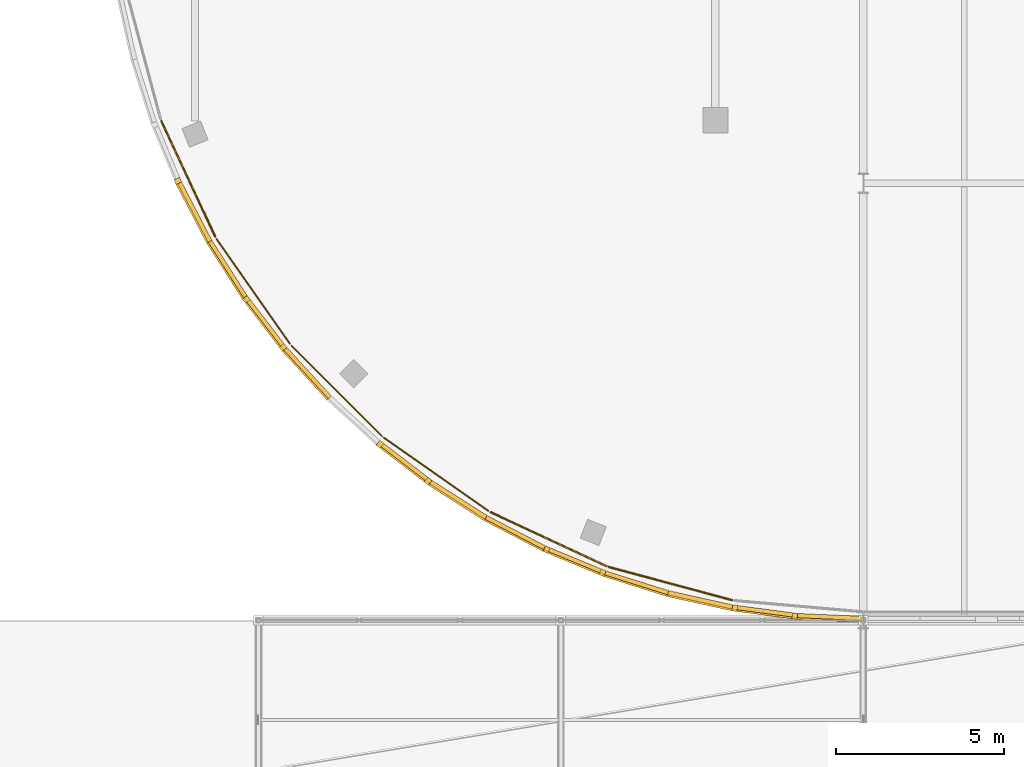
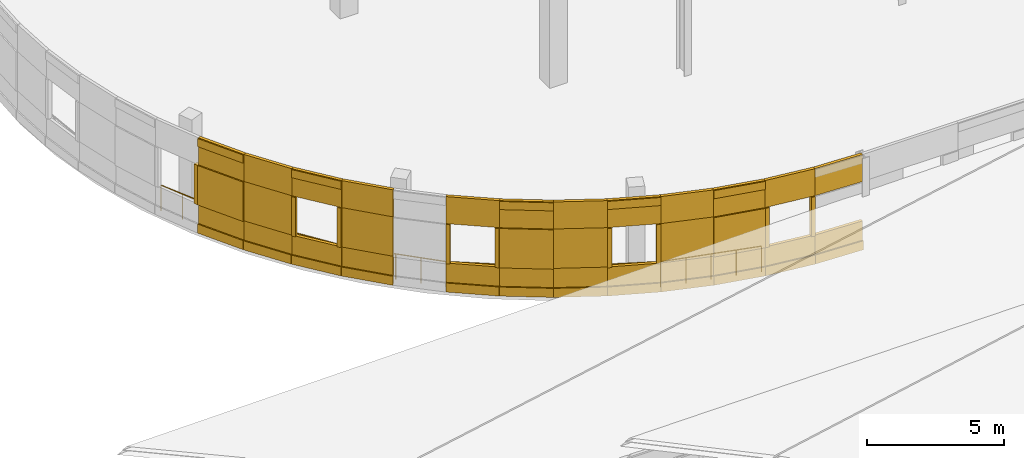
# One storey, part 91 of 103: 57 coverings, 6 railings.
"""IFC4 building model written with IfcOpenShell, lengths in metres."""

from ifc_helpers import new_model, si_unit, direction, frame, origin, origin_2d, place, context, subcontext, project, spatial, rectangle, circle, extrude, material, layer, layer_set, type_object, element, save


model = new_model("IFC4")

# Units and contexts
model_context = context("Model", 3, precision=1e-05, world=origin(), true_north=direction((0.0, 1.0)))
body_context = subcontext(model_context, "Body", "Model", "MODEL_VIEW")
ifc_project = project(units=[si_unit("LENGTHUNIT", "METRE"), si_unit("AREAUNIT", "SQUARE_METRE"), si_unit("VOLUMEUNIT", "CUBIC_METRE"), si_unit("PLANEANGLEUNIT", "RADIAN"), si_unit("MASSUNIT", "GRAM", prefix="KILO")], contexts=[model_context])

# Site, building, storey
site_placement = place(None, origin())
site = spatial("IfcSite", under=ifc_project, at=site_placement, CompositionType="ELEMENT")
building_placement = place(site_placement, origin())
building = spatial("IfcBuilding", under=site, at=building_placement, Name="Deido Ridge Mobility Hub", CompositionType="ELEMENT")
storey_placement = place(building_placement, frame((0.0, 0.0, 12.60009765625)))
storey = spatial("IfcBuildingStorey", under=building, at=storey_placement, Name="L03", CompositionType="ELEMENT", Elevation=12.60009765625)

# Coverings
ifc_material_1 = material(Name="Fired clay brick masonry", Category="masonry")
ifc_layer = layer(ifc_material_1, 0.114990234375, Name="Fired clay brick masonry")
ifc_layer_set = layer_set([ifc_layer], Name="Fired clay brick masonry")
covering_type = type_object("IfcCoveringType", Name="COV-BRK-SCREEN-115", PredefinedType="CLADDING", material=ifc_layer_set)
covering_1_placement = place(storey_placement, frame((24.600341796875, 94.074951171875, 1.25), z_axis=(0.0, 0.0, 1.0), x_axis=(0.382699557047, -0.923872853285, 0.0)))
element("IfcCovering", 1, at=covering_1_placement, inside=storey, type_object=covering_type, Name="Curved brick jamb nib BKS1 (L03)", PredefinedType="CLADDING", context=body_context, shape_type="SweptSolid", body=[
    extrude(rectangle(XDim=0.152099609375, YDim=0.179931640625, at=origin_2d()), origin(), (0.0, 0.0, 1.0), 1.75),
])
covering_2_placement = place(storey_placement, frame((25.107666015625, 93.144775390625, 0.0), z_axis=(0.0, 0.0, 1.0), x_axis=(0.461733131905, -0.887018892077, 0.0)))
element("IfcCovering", 2, at=covering_2_placement, inside=storey, type_object=covering_type, Name="Open brickwork spandrel course BKS1 (L03)", PredefinedType="CLADDING", context=body_context, shape_type="SweptSolid", body=[
    extrude(rectangle(XDim=1.9619140625, YDim=0.125, at=origin_2d()), origin(), (0.0, 0.0, 1.0), 1.25),
])
covering_3_placement = place(storey_placement, frame((25.083251953125, 93.132080078125, 0.0), z_axis=(0.0, 0.0, 1.0), x_axis=(0.461733131905, -0.887018892077, 0.0)))
element("IfcCovering", 3, at=covering_3_placement, inside=storey, type_object=covering_type, Name="Raised brick relief belt BKS1 (L03)", PredefinedType="CLADDING", context=body_context, shape_type="SweptSolid", body=[
    extrude(rectangle(XDim=1.9619140625, YDim=0.179931640625, at=origin_2d()), origin(), (0.0, 0.0, 1.0), 0.39990234375),
])
covering_4_placement = place(storey_placement, frame((25.107666015625, 93.144775390625, 3.0), z_axis=(0.0, 0.0, 1.0), x_axis=(0.461733131905, -0.887018892077, 0.0)))
element("IfcCovering", 4, at=covering_4_placement, inside=storey, type_object=covering_type, Name="Open brickwork lintel course BKS1 (L03)", PredefinedType="CLADDING", context=body_context, shape_type="SweptSolid", body=[
    extrude(rectangle(XDim=1.9619140625, YDim=0.125, at=origin_2d()), origin(), (0.0, 0.0, 1.0), 1.199951171875),
])
covering_5_placement = place(storey_placement, frame((25.083251953125, 93.132080078125, 3.83984375), z_axis=(0.0, 0.0, 1.0), x_axis=(0.461733131905, -0.887018892077, 0.0)))
element("IfcCovering", 5, at=covering_5_placement, inside=storey, type_object=covering_type, Name="Raised brick relief cornice BKS1 (L03)", PredefinedType="CLADDING", context=body_context, shape_type="SweptSolid", body=[
    extrude(rectangle(XDim=1.9619140625, YDim=0.179931640625, at=origin_2d()), origin(), (0.0, 0.0, 1.0), 0.360107421875),
])
covering_6_placement = place(storey_placement, frame((25.083251953125, 93.132080078125, 1.25), z_axis=(0.0, 0.0, 1.0), x_axis=(0.461733131905, -0.887018892077, 0.0)))
element("IfcCovering", 6, at=covering_6_placement, inside=storey, type_object=covering_type, Name="Curved raised brickwork pier BKS1 (L03)", PredefinedType="CLADDING", context=body_context, shape_type="SweptSolid", body=[
    extrude(rectangle(XDim=1.9619140625, YDim=0.179931640625, at=origin_2d()), origin(), (0.0, 0.0, 1.0), 1.75),
])
covering_7_placement = place(storey_placement, frame((26.0859375, 91.450439453125, 0.0), z_axis=(0.0, 0.0, 1.0), x_axis=(0.537314328223, -0.843382068037, 0.0)))
element("IfcCovering", 7, at=covering_7_placement, inside=storey, type_object=covering_type, Name="Open brickwork spandrel course BKS1 (L03)", PredefinedType="CLADDING", context=body_context, shape_type="SweptSolid", body=[
    extrude(rectangle(XDim=1.9619140625, YDim=0.125, at=origin_2d()), origin(), (0.0, 0.0, 1.0), 1.25),
])
covering_8_placement = place(storey_placement, frame((26.062744140625, 91.435791015625, 0.0), z_axis=(0.0, 0.0, 1.0), x_axis=(0.537314328223, -0.843382068037, 0.0)))
element("IfcCovering", 8, at=covering_8_placement, inside=storey, type_object=covering_type, Name="Raised brick relief belt BKS1 (L03)", PredefinedType="CLADDING", context=body_context, shape_type="SweptSolid", body=[
    extrude(rectangle(XDim=1.9619140625, YDim=0.179931640625, at=origin_2d()), origin(), (0.0, 0.0, 1.0), 0.39990234375),
])
covering_9_placement = place(storey_placement, frame((26.0859375, 91.450439453125, 3.0), z_axis=(0.0, 0.0, 1.0), x_axis=(0.537314328223, -0.843382068037, 0.0)))
element("IfcCovering", 9, at=covering_9_placement, inside=storey, type_object=covering_type, Name="Open brickwork lintel course BKS1 (L03)", PredefinedType="CLADDING", context=body_context, shape_type="SweptSolid", body=[
    extrude(rectangle(XDim=1.9619140625, YDim=0.125, at=origin_2d()), origin(), (0.0, 0.0, 1.0), 1.199951171875),
])
covering_10_placement = place(storey_placement, frame((26.0859375, 91.450439453125, 1.25), z_axis=(0.0, 0.0, 1.0), x_axis=(0.537314328223, -0.843382068037, 0.0)))
element("IfcCovering", 10, at=covering_10_placement, inside=storey, type_object=covering_type, Name="Curved raised brickwork pier BKS1 (L03)", PredefinedType="CLADDING", context=body_context, shape_type="SweptSolid", body=[
    extrude(rectangle(XDim=1.9619140625, YDim=0.125, at=origin_2d()), origin(), (0.0, 0.0, 1.0), 1.75),
])
covering_11_placement = place(storey_placement, frame((27.2080078125, 89.847900390625, 0.0), z_axis=(0.0, 0.0, 1.0), x_axis=(0.608761429009, -0.793353340291, 0.0)))
element("IfcCovering", 11, at=covering_11_placement, inside=storey, type_object=covering_type, Name="Open brickwork spandrel course BKS1 (L03)", PredefinedType="CLADDING", context=body_context, shape_type="SweptSolid", body=[
    extrude(rectangle(XDim=1.9619140625, YDim=0.125, at=origin_2d()), origin(), (0.0, 0.0, 1.0), 1.25),
])
covering_12_placement = place(storey_placement, frame((27.186279296875, 89.8310546875, 0.0), z_axis=(0.0, 0.0, 1.0), x_axis=(0.608761429009, -0.793353340291, 0.0)))
element("IfcCovering", 12, at=covering_12_placement, inside=storey, type_object=covering_type, Name="Raised brick relief belt BKS1 (L03)", PredefinedType="CLADDING", context=body_context, shape_type="SweptSolid", body=[
    extrude(rectangle(XDim=1.9619140625, YDim=0.179931640625, at=origin_2d()), origin(), (0.0, 0.0, 1.0), 0.39990234375),
])
covering_13_placement = place(storey_placement, frame((27.2080078125, 89.847900390625, 3.0), z_axis=(0.0, 0.0, 1.0), x_axis=(0.608761429009, -0.793353340291, 0.0)))
element("IfcCovering", 13, at=covering_13_placement, inside=storey, type_object=covering_type, Name="Open brickwork lintel course BKS1 (L03)", PredefinedType="CLADDING", context=body_context, shape_type="SweptSolid", body=[
    extrude(rectangle(XDim=1.9619140625, YDim=0.125, at=origin_2d()), origin(), (0.0, 0.0, 1.0), 1.199951171875),
])
covering_14_placement = place(storey_placement, frame((27.186279296875, 89.8310546875, 3.83984375), z_axis=(0.0, 0.0, 1.0), x_axis=(0.608761429009, -0.793353340291, 0.0)))
element("IfcCovering", 14, at=covering_14_placement, inside=storey, type_object=covering_type, Name="Raised brick relief cornice BKS1 (L03)", PredefinedType="CLADDING", context=body_context, shape_type="SweptSolid", body=[
    extrude(rectangle(XDim=1.9619140625, YDim=0.179931640625, at=origin_2d()), origin(), (0.0, 0.0, 1.0), 0.360107421875),
])
for number, where, z_axis, x_axis, name in (
    (15, (26.6376953125, 90.5458984375, 1.25), (0.0, 0.0, 1.0), (0.608761429009, -0.793353340291, 0.0), "Curved brick jamb nib BKS1 (L03)"),
    (16, (27.73486328125, 89.1162109375, 1.25), (0.0, 0.0, 1.0), (0.608761429009, -0.793353340291, 0.0), "Curved brick jamb nib BKS1 (L03)"),
):
    element("IfcCovering", number, at=place(storey_placement, frame(where, z_axis=z_axis, x_axis=x_axis)), inside=storey, type_object=covering_type, Name=name, PredefinedType="CLADDING", context=body_context, shape_type="SweptSolid", body=[
        extrude(rectangle(XDim=0.152099609375, YDim=0.179931640625, at=origin_2d()), origin(), (0.0, 0.0, 1.0), 1.75),
    ])
covering_15_placement = place(storey_placement, frame((28.4658203125, 88.34912109375, 0.0), z_axis=(0.0, 0.0, 1.0), x_axis=(0.675577339596, -0.737289127971, 0.0)))
element("IfcCovering", 17, at=covering_15_placement, inside=storey, type_object=covering_type, Name="Open brickwork spandrel course BKS1 (L03)", PredefinedType="CLADDING", context=body_context, shape_type="SweptSolid", body=[
    extrude(rectangle(XDim=1.9619140625, YDim=0.125, at=origin_2d()), origin(), (0.0, 0.0, 1.0), 1.25),
])
covering_16_placement = place(storey_placement, frame((28.4453125, 88.33056640625, 0.0), z_axis=(0.0, 0.0, 1.0), x_axis=(0.675577339596, -0.737289127971, 0.0)))
element("IfcCovering", 18, at=covering_16_placement, inside=storey, type_object=covering_type, Name="Raised brick relief belt BKS1 (L03)", PredefinedType="CLADDING", context=body_context, shape_type="SweptSolid", body=[
    extrude(rectangle(XDim=1.9619140625, YDim=0.179931640625, at=origin_2d()), origin(), (0.0, 0.0, 1.0), 0.39990234375),
])
covering_17_placement = place(storey_placement, frame((28.4658203125, 88.34912109375, 3.0), z_axis=(0.0, 0.0, 1.0), x_axis=(0.675577339596, -0.737289127971, 0.0)))
element("IfcCovering", 19, at=covering_17_placement, inside=storey, type_object=covering_type, Name="Open brickwork lintel course BKS1 (L03)", PredefinedType="CLADDING", context=body_context, shape_type="SweptSolid", body=[
    extrude(rectangle(XDim=1.9619140625, YDim=0.125, at=origin_2d()), origin(), (0.0, 0.0, 1.0), 1.199951171875),
])
covering_18_placement = place(storey_placement, frame((28.4658203125, 88.34912109375, 1.25), z_axis=(0.0, 0.0, 1.0), x_axis=(0.675577339596, -0.737289127971, 0.0)))
element("IfcCovering", 20, at=covering_18_placement, inside=storey, type_object=covering_type, Name="Curved raised brickwork pier BKS1 (L03)", PredefinedType="CLADDING", context=body_context, shape_type="SweptSolid", body=[
    extrude(rectangle(XDim=1.9619140625, YDim=0.125, at=origin_2d()), origin(), (0.0, 0.0, 1.0), 1.75),
])
covering_19_placement = place(storey_placement, frame((31.347900390625, 85.7080078125, 0.0), z_axis=(0.0, 0.0, 1.0), x_axis=(0.793353340291, -0.608761429009, 0.0)))
element("IfcCovering", 21, at=covering_19_placement, inside=storey, type_object=covering_type, Name="Open brickwork spandrel course BKS1 (L03)", PredefinedType="CLADDING", context=body_context, shape_type="SweptSolid", body=[
    extrude(rectangle(XDim=1.9619140625, YDim=0.125, at=origin_2d()), origin(), (0.0, 0.0, 1.0), 1.25),
])
covering_20_placement = place(storey_placement, frame((31.3310546875, 85.686279296875, 0.0), z_axis=(0.0, 0.0, 1.0), x_axis=(0.793353340291, -0.608761429009, 0.0)))
element("IfcCovering", 22, at=covering_20_placement, inside=storey, type_object=covering_type, Name="Raised brick relief belt BKS1 (L03)", PredefinedType="CLADDING", context=body_context, shape_type="SweptSolid", body=[
    extrude(rectangle(XDim=1.9619140625, YDim=0.179931640625, at=origin_2d()), origin(), (0.0, 0.0, 1.0), 0.39990234375),
])
covering_21_placement = place(storey_placement, frame((31.347900390625, 85.7080078125, 3.0), z_axis=(0.0, 0.0, 1.0), x_axis=(0.793353340291, -0.608761429009, 0.0)))
element("IfcCovering", 23, at=covering_21_placement, inside=storey, type_object=covering_type, Name="Open brickwork lintel course BKS1 (L03)", PredefinedType="CLADDING", context=body_context, shape_type="SweptSolid", body=[
    extrude(rectangle(XDim=1.9619140625, YDim=0.125, at=origin_2d()), origin(), (0.0, 0.0, 1.0), 1.199951171875),
])
for number, where, z_axis, x_axis, name in (
    (24, (30.6162109375, 86.23486328125, 1.25), (0.0, 0.0, 1.0), (0.793353340291, -0.608761429009, 0.0), "Curved brick jamb nib BKS1 (L03)"),
    (25, (32.0458984375, 85.1376953125, 1.25), (0.0, 0.0, 1.0), (0.793353340291, -0.608761429009, 0.0), "Curved brick jamb nib BKS1 (L03)"),
):
    element("IfcCovering", number, at=place(storey_placement, frame(where, z_axis=z_axis, x_axis=x_axis)), inside=storey, type_object=covering_type, Name=name, PredefinedType="CLADDING", context=body_context, shape_type="SweptSolid", body=[
        extrude(rectangle(XDim=0.152099609375, YDim=0.179931640625, at=origin_2d()), origin(), (0.0, 0.0, 1.0), 1.75),
    ])
covering_22_placement = place(storey_placement, frame((32.950439453125, 84.5859375, 0.0), z_axis=(0.0, 0.0, 1.0), x_axis=(0.843382068037, -0.537314328223, 0.0)))
element("IfcCovering", 26, at=covering_22_placement, inside=storey, type_object=covering_type, Name="Open brickwork spandrel course BKS1 (L03)", PredefinedType="CLADDING", context=body_context, shape_type="SweptSolid", body=[
    extrude(rectangle(XDim=1.9619140625, YDim=0.125, at=origin_2d()), origin(), (0.0, 0.0, 1.0), 1.25),
])
covering_23_placement = place(storey_placement, frame((32.935791015625, 84.562744140625, 0.0), z_axis=(0.0, 0.0, 1.0), x_axis=(0.843382068037, -0.537314328223, 0.0)))
element("IfcCovering", 27, at=covering_23_placement, inside=storey, type_object=covering_type, Name="Raised brick relief belt BKS1 (L03)", PredefinedType="CLADDING", context=body_context, shape_type="SweptSolid", body=[
    extrude(rectangle(XDim=1.9619140625, YDim=0.179931640625, at=origin_2d()), origin(), (0.0, 0.0, 1.0), 0.39990234375),
])
covering_24_placement = place(storey_placement, frame((32.950439453125, 84.5859375, 3.0), z_axis=(0.0, 0.0, 1.0), x_axis=(0.843382068037, -0.537314328223, 0.0)))
element("IfcCovering", 28, at=covering_24_placement, inside=storey, type_object=covering_type, Name="Open brickwork lintel course BKS1 (L03)", PredefinedType="CLADDING", context=body_context, shape_type="SweptSolid", body=[
    extrude(rectangle(XDim=1.9619140625, YDim=0.125, at=origin_2d()), origin(), (0.0, 0.0, 1.0), 1.199951171875),
])
covering_25_placement = place(storey_placement, frame((32.935791015625, 84.562744140625, 3.83984375), z_axis=(0.0, 0.0, 1.0), x_axis=(0.843382068037, -0.537314328223, 0.0)))
element("IfcCovering", 29, at=covering_25_placement, inside=storey, type_object=covering_type, Name="Raised brick relief cornice BKS1 (L03)", PredefinedType="CLADDING", context=body_context, shape_type="SweptSolid", body=[
    extrude(rectangle(XDim=1.9619140625, YDim=0.179931640625, at=origin_2d()), origin(), (0.0, 0.0, 1.0), 0.360107421875),
])
covering_26_placement = place(storey_placement, frame((32.935791015625, 84.562744140625, 1.25), z_axis=(0.0, 0.0, 1.0), x_axis=(0.843382068037, -0.537314328223, 0.0)))
element("IfcCovering", 30, at=covering_26_placement, inside=storey, type_object=covering_type, Name="Curved raised brickwork pier BKS1 (L03)", PredefinedType="CLADDING", context=body_context, shape_type="SweptSolid", body=[
    extrude(rectangle(XDim=1.9619140625, YDim=0.179931640625, at=origin_2d()), origin(), (0.0, 0.0, 1.0), 1.75),
])
covering_27_placement = place(storey_placement, frame((34.644775390625, 83.607666015625, 0.0), z_axis=(0.0, 0.0, 1.0), x_axis=(0.887018892077, -0.461733131905, 0.0)))
element("IfcCovering", 31, at=covering_27_placement, inside=storey, type_object=covering_type, Name="Open brickwork spandrel course BKS1 (L03)", PredefinedType="CLADDING", context=body_context, shape_type="SweptSolid", body=[
    extrude(rectangle(XDim=1.9619140625, YDim=0.125, at=origin_2d()), origin(), (0.0, 0.0, 1.0), 1.25),
])
covering_28_placement = place(storey_placement, frame((34.632080078125, 83.583251953125, 0.0), z_axis=(0.0, 0.0, 1.0), x_axis=(0.887018892077, -0.461733131905, 0.0)))
element("IfcCovering", 32, at=covering_28_placement, inside=storey, type_object=covering_type, Name="Raised brick relief belt BKS1 (L03)", PredefinedType="CLADDING", context=body_context, shape_type="SweptSolid", body=[
    extrude(rectangle(XDim=1.9619140625, YDim=0.179931640625, at=origin_2d()), origin(), (0.0, 0.0, 1.0), 0.39990234375),
])
covering_29_placement = place(storey_placement, frame((34.644775390625, 83.607666015625, 3.0), z_axis=(0.0, 0.0, 1.0), x_axis=(0.887018892077, -0.461733131905, 0.0)))
element("IfcCovering", 33, at=covering_29_placement, inside=storey, type_object=covering_type, Name="Open brickwork lintel course BKS1 (L03)", PredefinedType="CLADDING", context=body_context, shape_type="SweptSolid", body=[
    extrude(rectangle(XDim=1.9619140625, YDim=0.125, at=origin_2d()), origin(), (0.0, 0.0, 1.0), 1.199951171875),
])
covering_30_placement = place(storey_placement, frame((34.644775390625, 83.607666015625, 1.25), z_axis=(0.0, 0.0, 1.0), x_axis=(0.887018892077, -0.461733131905, 0.0)))
element("IfcCovering", 34, at=covering_30_placement, inside=storey, type_object=covering_type, Name="Curved raised brickwork pier BKS1 (L03)", PredefinedType="CLADDING", context=body_context, shape_type="SweptSolid", body=[
    extrude(rectangle(XDim=1.9619140625, YDim=0.125, at=origin_2d()), origin(), (0.0, 0.0, 1.0), 1.75),
])
covering_31_placement = place(storey_placement, frame((36.41796875, 82.781005859375, 0.0), z_axis=(0.0, 0.0, 1.0), x_axis=(0.923872853285, -0.382699557047, 0.0)))
element("IfcCovering", 35, at=covering_31_placement, inside=storey, type_object=covering_type, Name="Open brickwork spandrel course BKS1 (L03)", PredefinedType="CLADDING", context=body_context, shape_type="SweptSolid", body=[
    extrude(rectangle(XDim=1.9619140625, YDim=0.125, at=origin_2d()), origin(), (0.0, 0.0, 1.0), 1.25),
])
covering_32_placement = place(storey_placement, frame((36.4072265625, 82.755615234375, 0.0), z_axis=(0.0, 0.0, 1.0), x_axis=(0.923872853285, -0.382699557047, 0.0)))
element("IfcCovering", 36, at=covering_32_placement, inside=storey, type_object=covering_type, Name="Raised brick relief belt BKS1 (L03)", PredefinedType="CLADDING", context=body_context, shape_type="SweptSolid", body=[
    extrude(rectangle(XDim=1.9619140625, YDim=0.179931640625, at=origin_2d()), origin(), (0.0, 0.0, 1.0), 0.39990234375),
])
covering_33_placement = place(storey_placement, frame((36.41796875, 82.781005859375, 3.0), z_axis=(0.0, 0.0, 1.0), x_axis=(0.923872853285, -0.382699557047, 0.0)))
element("IfcCovering", 37, at=covering_33_placement, inside=storey, type_object=covering_type, Name="Open brickwork lintel course BKS1 (L03)", PredefinedType="CLADDING", context=body_context, shape_type="SweptSolid", body=[
    extrude(rectangle(XDim=1.9619140625, YDim=0.125, at=origin_2d()), origin(), (0.0, 0.0, 1.0), 1.199951171875),
])
covering_34_placement = place(storey_placement, frame((36.4072265625, 82.755615234375, 3.83984375), z_axis=(0.0, 0.0, 1.0), x_axis=(0.923872853285, -0.382699557047, 0.0)))
element("IfcCovering", 38, at=covering_34_placement, inside=storey, type_object=covering_type, Name="Raised brick relief cornice BKS1 (L03)", PredefinedType="CLADDING", context=body_context, shape_type="SweptSolid", body=[
    extrude(rectangle(XDim=1.9619140625, YDim=0.179931640625, at=origin_2d()), origin(), (0.0, 0.0, 1.0), 0.360107421875),
])
for number, where, z_axis, x_axis, name in (
    (39, (35.574951171875, 83.100341796875, 1.25), (0.0, 0.0, 1.0), (0.923872853285, -0.382699557047, 0.0), "Curved brick jamb nib BKS1 (L03)"),
    (40, (37.23974609375, 82.41064453125, 1.25), (0.0, 0.0, 1.0), (0.923872853285, -0.382699557047, 0.0), "Curved brick jamb nib BKS1 (L03)"),
):
    element("IfcCovering", number, at=place(storey_placement, frame(where, z_axis=z_axis, x_axis=x_axis)), inside=storey, type_object=covering_type, Name=name, PredefinedType="CLADDING", context=body_context, shape_type="SweptSolid", body=[
        extrude(rectangle(XDim=0.152099609375, YDim=0.179931640625, at=origin_2d()), origin(), (0.0, 0.0, 1.0), 1.75),
    ])
covering_35_placement = place(storey_placement, frame((38.25634765625, 82.11181640625, 0.0), z_axis=(0.0, 0.0, 1.0), x_axis=(0.95372744678, -0.300672508319, 0.0)))
element("IfcCovering", 41, at=covering_35_placement, inside=storey, type_object=covering_type, Name="Open brickwork spandrel course BKS1 (L03)", PredefinedType="CLADDING", context=body_context, shape_type="SweptSolid", body=[
    extrude(rectangle(XDim=1.9619140625, YDim=0.125, at=origin_2d()), origin(), (0.0, 0.0, 1.0), 1.25),
])
covering_36_placement = place(storey_placement, frame((38.248046875, 82.085693359375, 0.0), z_axis=(0.0, 0.0, 1.0), x_axis=(0.95372744678, -0.300672508319, 0.0)))
element("IfcCovering", 42, at=covering_36_placement, inside=storey, type_object=covering_type, Name="Raised brick relief belt BKS1 (L03)", PredefinedType="CLADDING", context=body_context, shape_type="SweptSolid", body=[
    extrude(rectangle(XDim=1.9619140625, YDim=0.179931640625, at=origin_2d()), origin(), (0.0, 0.0, 1.0), 0.39990234375),
])
covering_37_placement = place(storey_placement, frame((38.25634765625, 82.11181640625, 3.0), z_axis=(0.0, 0.0, 1.0), x_axis=(0.95372744678, -0.300672508319, 0.0)))
element("IfcCovering", 43, at=covering_37_placement, inside=storey, type_object=covering_type, Name="Open brickwork lintel course BKS1 (L03)", PredefinedType="CLADDING", context=body_context, shape_type="SweptSolid", body=[
    extrude(rectangle(XDim=1.9619140625, YDim=0.125, at=origin_2d()), origin(), (0.0, 0.0, 1.0), 1.199951171875),
])
covering_38_placement = place(storey_placement, frame((38.25634765625, 82.11181640625, 1.25), z_axis=(0.0, 0.0, 1.0), x_axis=(0.95372744678, -0.300672508319, 0.0)))
element("IfcCovering", 44, at=covering_38_placement, inside=storey, type_object=covering_type, Name="Curved raised brickwork pier BKS1 (L03)", PredefinedType="CLADDING", context=body_context, shape_type="SweptSolid", body=[
    extrude(rectangle(XDim=1.9619140625, YDim=0.125, at=origin_2d()), origin(), (0.0, 0.0, 1.0), 1.75),
])
covering_39_placement = place(storey_placement, frame((40.14599609375, 81.60546875, 0.0), z_axis=(0.0, 0.0, 1.0), x_axis=(0.976292229387, -0.216456653485, 0.0)))
element("IfcCovering", 45, at=covering_39_placement, inside=storey, type_object=covering_type, Name="Open brickwork spandrel course BKS1 (L03)", PredefinedType="CLADDING", context=body_context, shape_type="SweptSolid", body=[
    extrude(rectangle(XDim=1.9619140625, YDim=0.125, at=origin_2d()), origin(), (0.0, 0.0, 1.0), 1.25),
])
covering_40_placement = place(storey_placement, frame((40.14013671875, 81.57861328125, 0.0), z_axis=(0.0, 0.0, 1.0), x_axis=(0.976292229387, -0.216456653485, 0.0)))
element("IfcCovering", 46, at=covering_40_placement, inside=storey, type_object=covering_type, Name="Raised brick relief belt BKS1 (L03)", PredefinedType="CLADDING", context=body_context, shape_type="SweptSolid", body=[
    extrude(rectangle(XDim=1.9619140625, YDim=0.179931640625, at=origin_2d()), origin(), (0.0, 0.0, 1.0), 0.39990234375),
])
covering_41_placement = place(storey_placement, frame((40.14599609375, 81.60546875, 3.0), z_axis=(0.0, 0.0, 1.0), x_axis=(0.976292229387, -0.216456653485, 0.0)))
element("IfcCovering", 47, at=covering_41_placement, inside=storey, type_object=covering_type, Name="Open brickwork lintel course BKS1 (L03)", PredefinedType="CLADDING", context=body_context, shape_type="SweptSolid", body=[
    extrude(rectangle(XDim=1.9619140625, YDim=0.125, at=origin_2d()), origin(), (0.0, 0.0, 1.0), 1.199951171875),
])
covering_42_placement = place(storey_placement, frame((40.14013671875, 81.57861328125, 3.83984375), z_axis=(0.0, 0.0, 1.0), x_axis=(0.976292229387, -0.216456653485, 0.0)))
element("IfcCovering", 48, at=covering_42_placement, inside=storey, type_object=covering_type, Name="Raised brick relief cornice BKS1 (L03)", PredefinedType="CLADDING", context=body_context, shape_type="SweptSolid", body=[
    extrude(rectangle(XDim=1.9619140625, YDim=0.179931640625, at=origin_2d()), origin(), (0.0, 0.0, 1.0), 0.360107421875),
])
covering_43_placement = place(storey_placement, frame((40.14013671875, 81.57861328125, 1.25), z_axis=(0.0, 0.0, 1.0), x_axis=(0.976292229387, -0.216456653485, 0.0)))
element("IfcCovering", 49, at=covering_43_placement, inside=storey, type_object=covering_type, Name="Curved raised brickwork pier BKS1 (L03)", PredefinedType="CLADDING", context=body_context, shape_type="SweptSolid", body=[
    extrude(rectangle(XDim=1.9619140625, YDim=0.179931640625, at=origin_2d()), origin(), (0.0, 0.0, 1.0), 1.75),
])
covering_44_placement = place(storey_placement, frame((42.07275390625, 81.265625, 0.0), z_axis=(0.0, 0.0, 1.0), x_axis=(0.991442583111, -0.130543496177, 0.0)))
element("IfcCovering", 50, at=covering_44_placement, inside=storey, type_object=covering_type, Name="Open brickwork spandrel course BKS1 (L03)", PredefinedType="CLADDING", context=body_context, shape_type="SweptSolid", body=[
    extrude(rectangle(XDim=1.9619140625, YDim=0.125, at=origin_2d()), origin(), (0.0, 0.0, 1.0), 1.25),
])
covering_45_placement = place(storey_placement, frame((42.069091796875, 81.23828125, 0.0), z_axis=(0.0, 0.0, 1.0), x_axis=(0.991442583111, -0.130543496177, 0.0)))
element("IfcCovering", 51, at=covering_45_placement, inside=storey, type_object=covering_type, Name="Raised brick relief belt BKS1 (L03)", PredefinedType="CLADDING", context=body_context, shape_type="SweptSolid", body=[
    extrude(rectangle(XDim=1.9619140625, YDim=0.179931640625, at=origin_2d()), origin(), (0.0, 0.0, 1.0), 0.39990234375),
])
covering_46_placement = place(storey_placement, frame((42.07275390625, 81.265625, 3.0), z_axis=(0.0, 0.0, 1.0), x_axis=(0.991442583111, -0.130543496177, 0.0)))
element("IfcCovering", 52, at=covering_46_placement, inside=storey, type_object=covering_type, Name="Open brickwork lintel course BKS1 (L03)", PredefinedType="CLADDING", context=body_context, shape_type="SweptSolid", body=[
    extrude(rectangle(XDim=1.9619140625, YDim=0.125, at=origin_2d()), origin(), (0.0, 0.0, 1.0), 1.199951171875),
])
for number, where, z_axis, x_axis, name in (
    (53, (41.17578125, 81.35595703125, 1.25), (0.0, 0.0, 1.0), (0.991442583111, -0.130543496177, 0.0), "Curved brick jamb nib BKS1 (L03)"),
    (54, (42.96240234375, 81.120849609375, 1.25), (0.0, 0.0, 1.0), (0.991442583111, -0.130543496177, 0.0), "Curved brick jamb nib BKS1 (L03)"),
):
    element("IfcCovering", number, at=place(storey_placement, frame(where, z_axis=z_axis, x_axis=x_axis)), inside=storey, type_object=covering_type, Name=name, PredefinedType="CLADDING", context=body_context, shape_type="SweptSolid", body=[
        extrude(rectangle(XDim=0.152099609375, YDim=0.179931640625, at=origin_2d()), origin(), (0.0, 0.0, 1.0), 1.75),
    ])
covering_47_placement = place(storey_placement, frame((44.021728515625, 81.09521484375, 0.0), z_axis=(0.0, 0.0, 1.0), x_axis=(0.999048982732, -0.043601950678, 0.0)))
element("IfcCovering", 55, at=covering_47_placement, inside=storey, type_object=covering_type, Name="Open brickwork spandrel course BKS1 (L03)", PredefinedType="CLADDING", context=body_context, shape_type="SweptSolid", body=[
    extrude(rectangle(XDim=1.9619140625, YDim=0.125, at=origin_2d()), origin(), (0.0, 0.0, 1.0), 1.25),
])
covering_48_placement = place(storey_placement, frame((44.0205078125, 81.067626953125, 0.0), z_axis=(0.0, 0.0, 1.0), x_axis=(0.999048982732, -0.043601950678, 0.0)))
element("IfcCovering", 56, at=covering_48_placement, inside=storey, type_object=covering_type, Name="Raised brick relief belt BKS1 (L03)", PredefinedType="CLADDING", context=body_context, shape_type="SweptSolid", body=[
    extrude(rectangle(XDim=1.9619140625, YDim=0.179931640625, at=origin_2d()), origin(), (0.0, 0.0, 1.0), 0.39990234375),
])
covering_49_placement = place(storey_placement, frame((44.021728515625, 81.09521484375, 3.0), z_axis=(0.0, 0.0, 1.0), x_axis=(0.999048982732, -0.043601950678, 0.0)))
element("IfcCovering", 57, at=covering_49_placement, inside=storey, type_object=covering_type, Name="Open brickwork lintel course BKS1 (L03)", PredefinedType="CLADDING", context=body_context, shape_type="SweptSolid", body=[
    extrude(rectangle(XDim=1.9619140625, YDim=0.125, at=origin_2d()), origin(), (0.0, 0.0, 1.0), 1.199951171875),
])

# Railings
ifc_material_2 = material(Name="Galvanised steel work", Category="steel")
railing_type = type_object("IfcRailingType", Name="RL-GRD-EXT-1150", PredefinedType="GUARDRAIL", material=ifc_material_2)
railing_1_placement = place(storey_placement, frame((24.108642578125, 95.853759765625, 0.0)))
element("IfcRailing", 58, at=railing_1_placement, inside=storey, type_object=railing_type, Name="Parking drum perimeter guard (L03)", PredefinedType="GUARDRAIL", context=body_context, shape_type="SweptSolid", body=[
    extrude(circle(Radius=0.02392578125, at=origin_2d()), frame((0.0, 0.0, 1.1259765625), z_axis=(0.422674330627, -0.906281639574, 0.0), x_axis=(0.906281639574, 0.422674330627, 0.0)), (0.0, 0.0, 1.0), 3.79833984375),
    extrude(circle(Radius=0.02099609375, at=origin_2d()), origin(), (0.0, 0.0, 1.0), 1.101806640625),
    extrude(circle(Radius=0.02099609375, at=origin_2d()), frame((0.4013671875, -0.860595703125, 0.0)), (0.0, 0.0, 1.0), 1.101806640625),
    extrude(circle(Radius=0.02099609375, at=origin_2d()), frame((0.802734375, -1.72119140625, 0.0)), (0.0, 0.0, 1.0), 1.101806640625),
    extrude(circle(Radius=0.02099609375, at=origin_2d()), frame((1.2041015625, -2.581787109375, 0.0)), (0.0, 0.0, 1.0), 1.101806640625),
    extrude(circle(Radius=0.02099609375, at=origin_2d()), frame((1.60546875, -3.4423828125, 0.0)), (0.0, 0.0, 1.0), 1.101806640625),
])
railing_2_placement = place(storey_placement, frame((25.75390625, 92.34228515625, 0.0)))
element("IfcRailing", 59, at=railing_2_placement, inside=storey, type_object=railing_type, Name="Parking drum perimeter guard (L03)", PredefinedType="GUARDRAIL", context=body_context, shape_type="SweptSolid", body=[
    extrude(circle(Radius=0.02392578125, at=origin_2d()), frame((0.0, 0.0, 1.1259765625), z_axis=(0.573570179609, -0.819156425271, 0.0), x_axis=(0.819156425271, 0.573570179609, 0.0)), (0.0, 0.0, 1.0), 3.798583984375),
    extrude(circle(Radius=0.02099609375, at=origin_2d()), origin(), (0.0, 0.0, 1.0), 1.101806640625),
    extrude(circle(Radius=0.02099609375, at=origin_2d()), frame((0.544677734375, -0.77783203125, 0.0)), (0.0, 0.0, 1.0), 1.101806640625),
    extrude(circle(Radius=0.02099609375, at=origin_2d()), frame((1.08935546875, -1.5556640625, 0.0)), (0.0, 0.0, 1.0), 1.101806640625),
    extrude(circle(Radius=0.02099609375, at=origin_2d()), frame((1.634033203125, -2.333740234375, 0.0)), (0.0, 0.0, 1.0), 1.101806640625),
    extrude(circle(Radius=0.02099609375, at=origin_2d()), frame((2.1787109375, -3.111572265625, 0.0)), (0.0, 0.0, 1.0), 1.101806640625),
])
railing_3_placement = place(storey_placement, frame((27.98388671875, 89.169677734375, 0.0)))
element("IfcRailing", 60, at=railing_3_placement, inside=storey, type_object=railing_type, Name="Parking drum perimeter guard (L03)", PredefinedType="GUARDRAIL", context=body_context, shape_type="SweptSolid", body=[
    extrude(circle(Radius=0.02392578125, at=origin_2d()), frame((0.0, 0.0, 1.1259765625), z_axis=(0.707106781187, -0.707106781187, 0.0), x_axis=(0.707106781187, 0.707106781187, 0.0)), (0.0, 0.0, 1.0), 3.79833984375),
    extrude(circle(Radius=0.02099609375, at=origin_2d()), origin(), (0.0, 0.0, 1.0), 1.101806640625),
    extrude(circle(Radius=0.02099609375, at=origin_2d()), frame((0.67138671875, -0.67138671875, 0.0)), (0.0, 0.0, 1.0), 1.101806640625),
    extrude(circle(Radius=0.02099609375, at=origin_2d()), frame((1.3427734375, -1.3427734375, 0.0)), (0.0, 0.0, 1.0), 1.101806640625),
    extrude(circle(Radius=0.02099609375, at=origin_2d()), frame((2.014404296875, -2.014404296875, 0.0)), (0.0, 0.0, 1.0), 1.101806640625),
    extrude(circle(Radius=0.02099609375, at=origin_2d()), frame((2.685791015625, -2.685791015625, 0.0)), (0.0, 0.0, 1.0), 1.101806640625),
])
railing_4_placement = place(storey_placement, frame((30.730712890625, 86.4326171875, 0.0)))
element("IfcRailing", 61, at=railing_4_placement, inside=storey, type_object=railing_type, Name="Parking drum perimeter guard (L03)", PredefinedType="GUARDRAIL", context=body_context, shape_type="SweptSolid", body=[
    extrude(circle(Radius=0.02392578125, at=origin_2d()), frame((0.0, 0.0, 1.1259765625), z_axis=(0.819156425271, -0.573570179609, 0.0), x_axis=(0.573570179609, 0.819156425271, 0.0)), (0.0, 0.0, 1.0), 3.798583984375),
    extrude(circle(Radius=0.02099609375, at=origin_2d()), origin(), (0.0, 0.0, 1.0), 1.101806640625),
    extrude(circle(Radius=0.02099609375, at=origin_2d()), frame((0.77783203125, -0.544677734375, 0.0)), (0.0, 0.0, 1.0), 1.101806640625),
    extrude(circle(Radius=0.02099609375, at=origin_2d()), frame((1.5556640625, -1.08935546875, 0.0)), (0.0, 0.0, 1.0), 1.101806640625),
    extrude(circle(Radius=0.02099609375, at=origin_2d()), frame((2.333740234375, -1.634033203125, 0.0)), (0.0, 0.0, 1.0), 1.101806640625),
    extrude(circle(Radius=0.02099609375, at=origin_2d()), frame((3.111572265625, -2.1787109375, 0.0)), (0.0, 0.0, 1.0), 1.101806640625),
])
railing_5_placement = place(storey_placement, frame((33.911376953125, 84.214111328125, 0.0)))
element("IfcRailing", 62, at=railing_5_placement, inside=storey, type_object=railing_type, Name="Parking drum perimeter guard (L03)", PredefinedType="GUARDRAIL", context=body_context, shape_type="SweptSolid", body=[
    extrude(circle(Radius=0.02392578125, at=origin_2d()), frame((0.0, 0.0, 1.1259765625), z_axis=(0.906281639574, -0.422674330627, 0.0), x_axis=(0.422674330627, 0.906281639574, 0.0)), (0.0, 0.0, 1.0), 3.79833984375),
    extrude(circle(Radius=0.02099609375, at=origin_2d()), origin(), (0.0, 0.0, 1.0), 1.101806640625),
    extrude(circle(Radius=0.02099609375, at=origin_2d()), frame((0.860595703125, -0.4013671875, 0.0)), (0.0, 0.0, 1.0), 1.101806640625),
    extrude(circle(Radius=0.02099609375, at=origin_2d()), frame((1.72119140625, -0.802734375, 0.0)), (0.0, 0.0, 1.0), 1.101806640625),
    extrude(circle(Radius=0.02099609375, at=origin_2d()), frame((2.581787109375, -1.2041015625, 0.0)), (0.0, 0.0, 1.0), 1.101806640625),
    extrude(circle(Radius=0.02099609375, at=origin_2d()), frame((3.4423828125, -1.60546875, 0.0)), (0.0, 0.0, 1.0), 1.101806640625),
])
railing_6_placement = place(storey_placement, frame((37.4287109375, 82.581298828125, 0.0)))
element("IfcRailing", 63, at=railing_6_placement, inside=storey, type_object=railing_type, Name="Parking drum perimeter guard (L03)", PredefinedType="GUARDRAIL", context=body_context, shape_type="SweptSolid", body=[
    extrude(circle(Radius=0.02392578125, at=origin_2d()), frame((0.0, 0.0, 1.1259765625), z_axis=(0.965937723757, -0.258774639064, 0.0), x_axis=(0.258774639064, 0.965937723757, 0.0)), (0.0, 0.0, 1.0), 3.79833984375),
    extrude(circle(Radius=0.02099609375, at=origin_2d()), origin(), (0.0, 0.0, 1.0), 1.101806640625),
    extrude(circle(Radius=0.02099609375, at=origin_2d()), frame((0.917236328125, -0.24560546875, 0.0)), (0.0, 0.0, 1.0), 1.101806640625),
    extrude(circle(Radius=0.02099609375, at=origin_2d()), frame((1.83447265625, -0.491455078125, 0.0)), (0.0, 0.0, 1.0), 1.101806640625),
    extrude(circle(Radius=0.02099609375, at=origin_2d()), frame((2.751708984375, -0.7373046875, 0.0)), (0.0, 0.0, 1.0), 1.101806640625),
    extrude(circle(Radius=0.02099609375, at=origin_2d()), frame((3.6689453125, -0.98291015625, 0.0)), (0.0, 0.0, 1.0), 1.101806640625),
])

save(model, "model.ifc")
